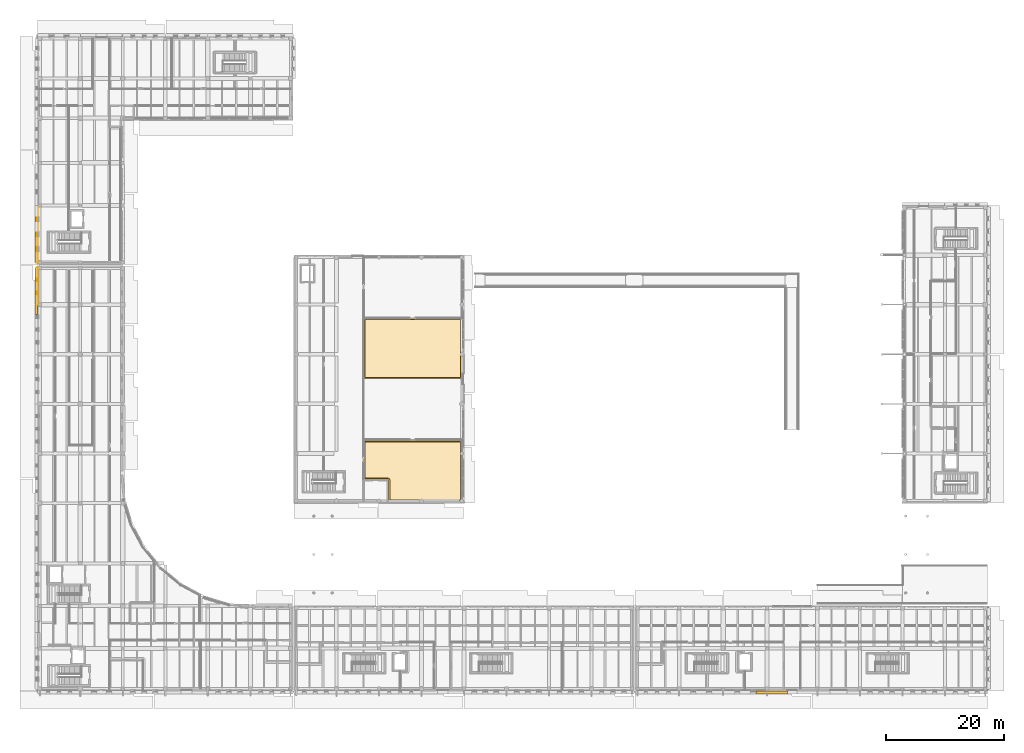
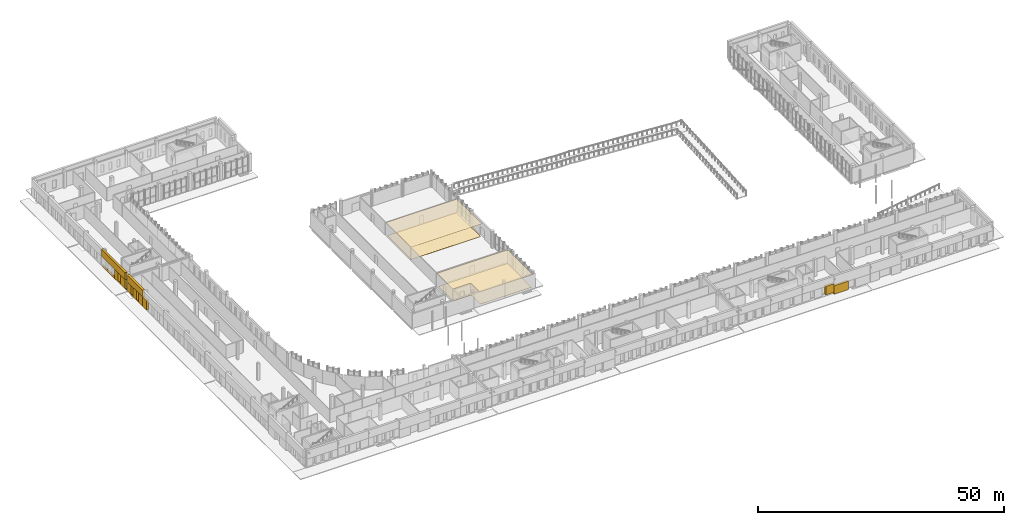
# One storey, part 71 of 77: 16 coverings.
"""IFC4 building model written with IfcOpenShell, lengths in metres."""

from ifc_helpers import new_model, si_unit, direction, frame, origin, place, context, subcontext, project, spatial, polyline, outline, extrude, material, layer, layer_set, type_object, element, save


model = new_model("IFC4")

# Units and contexts
model_context = context("Model", 3, precision=1e-05, world=origin(), true_north=direction((0.0, 1.0)))
body_context = subcontext(model_context, "Body", "Model", "MODEL_VIEW")
ifc_project = project(units=[si_unit("LENGTHUNIT", "METRE"), si_unit("AREAUNIT", "SQUARE_METRE"), si_unit("VOLUMEUNIT", "CUBIC_METRE"), si_unit("PLANEANGLEUNIT", "RADIAN"), si_unit("MASSUNIT", "GRAM", prefix="KILO")], contexts=[model_context])

# Site, building, storey
site_placement = place(None, origin())
site = spatial("IfcSite", under=ifc_project, at=site_placement, CompositionType="ELEMENT")
building_placement = place(site_placement, origin())
building = spatial("IfcBuilding", under=site, at=building_placement, Name="Vardoun Plaza Health Centre", CompositionType="ELEMENT")
storey_placement = place(building_placement, origin())
storey = spatial("IfcBuildingStorey", under=building, at=storey_placement, Name="L00", CompositionType="ELEMENT", Elevation=0.0)

# Coverings
ifc_material_1 = material(Name="Hygienic Acoustic Mineral-Fibre Ceiling", Category="concrete")
ifc_layer_1 = layer(ifc_material_1, 0.02490234375)
ifc_layer_set_1 = layer_set([ifc_layer_1], Name="Hygienic Acoustic Mineral-Fibre Ceiling")
covering_type_1 = type_object("IfcCoveringType", Name="CL-01", PredefinedType="CEILING", material=ifc_layer_set_1)
covering_1_placement = place(storey_placement, frame((0.0, 0.0, 3.179931640625)))
element("IfcCovering", 1, at=covering_1_placement, inside=storey, type_object=covering_type_1, Name="Urgent Care Triage Room 1 Acoustic Ceiling", PredefinedType="CEILING", context=body_context, shape_type="SweptSolid", body=[
    extrude(outline(polyline([(59.679931640625, 57.389892578125), (59.679931640625, 67.574951171875), (76.320068359375, 67.574951171875), (76.320068359375, 57.389892578125), (59.679931640625, 57.389892578125)])), origin(), (0.0, 0.0, 1.0), 0.025146484375),
])
covering_2_placement = place(storey_placement, frame((0.0, 0.0, 3.179931640625)))
element("IfcCovering", 2, at=covering_2_placement, inside=storey, type_object=covering_type_1, Name="Patient Registration Desk Acoustic Ceiling", PredefinedType="CEILING", context=body_context, shape_type="SweptSolid", body=[
    extrude(outline(polyline([(59.679931640625, 46.844970703125), (76.320068359375, 46.844970703125), (76.320068359375, 36.659912109375), (63.903564453125, 36.659912109375), (63.903564453125, 40.200927734375), (63.903564453125, 40.201416015625), (63.90283203125, 40.215087890625), (63.902587890625, 40.216064453125), (63.900634765625, 40.229736328125), (63.900390625, 40.230712890625), (63.897216796875, 40.243896484375), (63.89697265625, 40.244873046875), (63.89208984375, 40.2578125), (63.891845703125, 40.258544921875), (63.885986328125, 40.27099609375), (63.885498046875, 40.272216796875), (63.87841796875, 40.283935546875), (63.8779296875, 40.28466796875), (63.86962890625, 40.295654296875), (63.869140625, 40.29638671875), (63.85986328125, 40.306640625), (63.859130859375, 40.307373046875), (63.84912109375, 40.31640625), (63.848388671875, 40.317138671875), (63.83740234375, 40.3251953125), (63.83642578125, 40.325927734375), (63.82470703125, 40.3330078125), (63.82373046875, 40.333251953125), (63.811279296875, 40.339111328125), (63.810302734375, 40.339599609375), (63.79736328125, 40.34423828125), (63.796630859375, 40.344482421875), (63.783203125, 40.347900390625), (63.7822265625, 40.34814453125), (63.768798828125, 40.35009765625), (63.767578125, 40.35009765625), (63.75390625, 40.350830078125), (63.75341796875, 40.350830078125), (59.679931640625, 40.350830078125), (59.679931640625, 46.844970703125)])), origin(), (0.0, 0.0, 1.0), 0.025146484375),
])
ifc_material_2 = material(Name="Pale Limestone Concrete C35/45", Category="masonry")
ifc_layer_2 = layer(ifc_material_2, 0.080078125)
ifc_layer_set_2 = layer_set([ifc_layer_2], Name="Pale Limestone Concrete C35/45")
covering_type_2 = type_object("IfcCoveringType", Name="CL-EXT1", PredefinedType="CLADDING", material=ifc_layer_set_2)
covering_3_placement = place(storey_placement, frame((0.0, 0.0, 0.550048828125)))
element("IfcCovering", 3, at=covering_3_placement, inside=storey, type_object=covering_type_2, Name="V2 L00 Deep-Punched Slot Concrete Reveal Pier 77", PredefinedType="CLADDING", context=body_context, shape_type="SweptSolid", body=[
    extrude(outline(polyline([(4.5, 68.25390625), (4.5, 69.8798828125), (4.02001953125, 69.8798828125), (4.02001953125, 68.25390625), (4.5, 68.25390625)])), origin(), (0.0, 0.0, 1.0), 2.300048828125),
])
covering_4_placement = place(storey_placement, origin())
element("IfcCovering", 4, at=covering_4_placement, inside=storey, type_object=covering_type_2, Name="V2 L00 Pale Concrete Sill Band 78", PredefinedType="CLADDING", context=body_context, shape_type="SweptSolid", body=[
    extrude(outline(polyline([(4.5, 69.919921875), (4.5, 76.135009765625), (4.360107421875, 76.135009765625), (4.360107421875, 69.919921875), (4.5, 69.919921875)])), origin(), (0.0, 0.0, 1.0), 0.550048828125),
])
covering_5_placement = place(storey_placement, frame((0.0, 0.0, 2.800048828125)))
element("IfcCovering", 5, at=covering_5_placement, inside=storey, type_object=covering_type_2, Name="V2 L00 Sculpted Concrete Eyebrow Hood 79", PredefinedType="CLADDING", context=body_context, shape_type="SweptSolid", body=[
    extrude(outline(polyline([(4.5, 69.919921875), (4.5, 76.135009765625), (4.02001953125, 76.135009765625), (4.02001953125, 69.919921875), (4.5, 69.919921875)])), origin(), (0.0, 0.0, 1.0), 1.699951171875),
])
covering_6_placement = place(storey_placement, frame((0.0, 0.0, 0.550048828125)))
element("IfcCovering", 6, at=covering_6_placement, inside=storey, type_object=covering_type_2, Name="V2 L00 Deep-Punched Slot Concrete Reveal Pier 80", PredefinedType="CLADDING", context=body_context, shape_type="SweptSolid", body=[
    extrude(outline(polyline([(4.5, 69.919921875), (4.5, 71.51171875), (4.02001953125, 71.51171875), (4.02001953125, 69.919921875), (4.5, 69.919921875)])), origin(), (0.0, 0.0, 1.0), 2.25),
])
covering_7_placement = place(storey_placement, frame((0.0, 0.0, 0.550048828125)))
element("IfcCovering", 7, at=covering_7_placement, inside=storey, type_object=covering_type_2, Name="V2 L00 Deep-Punched Slot Concrete Reveal Pier 81", PredefinedType="CLADDING", context=body_context, shape_type="SweptSolid", body=[
    extrude(outline(polyline([(4.5, 72.29150390625), (4.5, 73.763427734375), (4.02001953125, 73.763427734375), (4.02001953125, 72.29150390625), (4.5, 72.29150390625)])), origin(), (0.0, 0.0, 1.0), 2.25),
])
covering_8_placement = place(storey_placement, frame((0.0, 0.0, 0.550048828125)))
element("IfcCovering", 8, at=covering_8_placement, inside=storey, type_object=covering_type_2, Name="V2 L00 Deep-Punched Slot Concrete Reveal Pier 82", PredefinedType="CLADDING", context=body_context, shape_type="SweptSolid", body=[
    extrude(outline(polyline([(4.5, 74.54345703125), (4.5, 76.135009765625), (4.02001953125, 76.135009765625), (4.02001953125, 74.54345703125), (4.5, 74.54345703125)])), origin(), (0.0, 0.0, 1.0), 2.25),
])
covering_9_placement = place(storey_placement, origin())
element("IfcCovering", 9, at=covering_9_placement, inside=storey, type_object=covering_type_2, Name="V3 L00 Pale Concrete Sill Band 738", PredefinedType="CLADDING", context=body_context, shape_type="SweptSolid", body=[
    extrude(outline(polyline([(4.5, 77.014892578125), (4.5, 86.679931640625), (4.360107421875, 86.679931640625), (4.360107421875, 77.014892578125), (4.5, 77.014892578125)])), origin(), (0.0, 0.0, 1.0), 0.550048828125),
])
covering_10_placement = place(storey_placement, frame((0.0, 0.0, 2.72998046875)))
element("IfcCovering", 10, at=covering_10_placement, inside=storey, type_object=covering_type_2, Name="V3 L00 Sculpted Concrete Eyebrow Hood 739", PredefinedType="CLADDING", context=body_context, shape_type="SweptSolid", body=[
    extrude(outline(polyline([(4.5, 77.014892578125), (4.5, 86.679931640625), (4.02001953125, 86.679931640625), (4.02001953125, 77.014892578125), (4.5, 77.014892578125)])), origin(), (0.0, 0.0, 1.0), 1.77001953125),
])
covering_11_placement = place(storey_placement, frame((0.0, 0.0, 0.550048828125)))
element("IfcCovering", 11, at=covering_11_placement, inside=storey, type_object=covering_type_2, Name="V3 L00 Deep-Punched Slot Concrete Reveal Pier 740", PredefinedType="CLADDING", context=body_context, shape_type="SweptSolid", body=[
    extrude(outline(polyline([(4.5, 77.014892578125), (4.5, 78.854248046875), (4.02001953125, 78.854248046875), (4.02001953125, 77.014892578125), (4.5, 77.014892578125)])), origin(), (0.0, 0.0, 1.0), 2.179931640625),
])
covering_12_placement = place(storey_placement, frame((0.0, 0.0, 0.550048828125)))
element("IfcCovering", 12, at=covering_12_placement, inside=storey, type_object=covering_type_2, Name="V3 L00 Deep-Punched Slot Concrete Reveal Pier 741", PredefinedType="CLADDING", context=body_context, shape_type="SweptSolid", body=[
    extrude(outline(polyline([(4.5, 79.794189453125), (4.5, 81.37744140625), (4.02001953125, 81.37744140625), (4.02001953125, 79.794189453125), (4.5, 79.794189453125)])), origin(), (0.0, 0.0, 1.0), 2.179931640625),
])
covering_13_placement = place(storey_placement, origin())
element("IfcCovering", 13, at=covering_13_placement, inside=storey, type_object=covering_type_2, Name="V5 L00 Deep-Punched Slot Concrete Reveal Pier 1106", PredefinedType="CLADDING", context=body_context, shape_type="SweptSolid", body=[
    extrude(outline(polyline([(131.419921875, 4.5), (128.0, 4.5), (128.0, 4.02001953125), (131.419921875, 4.02001953125), (131.419921875, 4.5)])), origin(), (0.0, 0.0, 1.0), 2.10009765625),
])
covering_14_placement = place(storey_placement, frame((0.0, 0.0, 0.550048828125)))
element("IfcCovering", 14, at=covering_14_placement, inside=storey, type_object=covering_type_2, Name="V5 L00 Deep-Punched Slot Concrete Reveal Pier 1109", PredefinedType="CLADDING", context=body_context, shape_type="SweptSolid", body=[
    extrude(outline(polyline([(127.9599609375, 4.5), (126.0791015625, 4.5), (126.0791015625, 4.02001953125), (127.9599609375, 4.02001953125), (127.9599609375, 4.5)])), origin(), (0.0, 0.0, 1.0), 2.099853515625),
])
ifc_material_3 = material(Name="Polished Lebanese Limestone Terrazzo", Category="masonry")
ifc_layer_3 = layer(ifc_material_3, 0.030029296875)
ifc_layer_set_3 = layer_set([ifc_layer_3], Name="Polished Lebanese Limestone Terrazzo")
covering_type_3 = type_object("IfcCoveringType", Name="FL-02", PredefinedType="FLOORING", material=ifc_layer_set_3)
covering_15_placement = place(storey_placement, origin())
element("IfcCovering", 15, at=covering_15_placement, inside=storey, type_object=covering_type_3, Name="Patient Registration Desk Floor Finish", PredefinedType="FLOORING", context=body_context, shape_type="SweptSolid", body=[
    extrude(outline(polyline([(59.889892578125, 46.635009765625), (76.110107421875, 46.635009765625), (76.110107421875, 36.8701171875), (64.113525390625, 36.8701171875), (64.113525390625, 40.200927734375), (64.11328125, 40.212158203125), (64.112548828125, 40.225830078125), (64.110595703125, 40.24658203125), (64.1083984375, 40.26025390625), (64.104248046875, 40.28125), (64.10107421875, 40.29443359375), (64.09423828125, 40.31689453125), (64.089599609375, 40.32958984375), (64.08251953125, 40.346923828125), (64.07666015625, 40.359619140625), (64.0654296875, 40.38037109375), (64.058349609375, 40.39208984375), (64.04638671875, 40.41015625), (64.0380859375, 40.421142578125), (64.025146484375, 40.43701171875), (64.015869140625, 40.447265625), (63.999755859375, 40.46337890625), (63.989501953125, 40.472412109375), (63.973876953125, 40.485595703125), (63.962890625, 40.49365234375), (63.943603515625, 40.506591796875), (63.931640625, 40.513427734375), (63.9140625, 40.52294921875), (63.901611328125, 40.52880859375), (63.880615234375, 40.53759765625), (63.867431640625, 40.542236328125), (63.8486328125, 40.5478515625), (63.835205078125, 40.55126953125), (63.812744140625, 40.555908203125), (63.79931640625, 40.557861328125), (63.7783203125, 40.559814453125), (63.7646484375, 40.560546875), (63.75341796875, 40.560791015625), (59.889892578125, 40.560791015625), (59.889892578125, 46.635009765625)])), origin(), (0.0, 0.0, 1.0), 0.030029296875),
])
ifc_material_4 = material(Name="Seamless Conductive Clinical Vinyl Flooring", Category="concrete")
ifc_layer_4 = layer(ifc_material_4, 0.014892578125)
ifc_layer_set_4 = layer_set([ifc_layer_4], Name="Seamless Conductive Clinical Vinyl Flooring")
covering_type_4 = type_object("IfcCoveringType", Name="FL-01", PredefinedType="FLOORING", material=ifc_layer_set_4)
covering_16_placement = place(storey_placement, origin())
element("IfcCovering", 16, at=covering_16_placement, inside=storey, type_object=covering_type_4, Name="Urgent Care Triage Room 1 Floor Finish", PredefinedType="FLOORING", context=body_context, shape_type="SweptSolid", body=[
    extrude(outline(polyline([(59.889892578125, 57.60009765625), (59.889892578125, 67.364990234375), (76.110107421875, 67.364990234375), (76.110107421875, 57.60009765625), (59.889892578125, 57.60009765625)])), origin(), (0.0, 0.0, 1.0), 0.014892578125),
])

save(model, "model.ifc")
